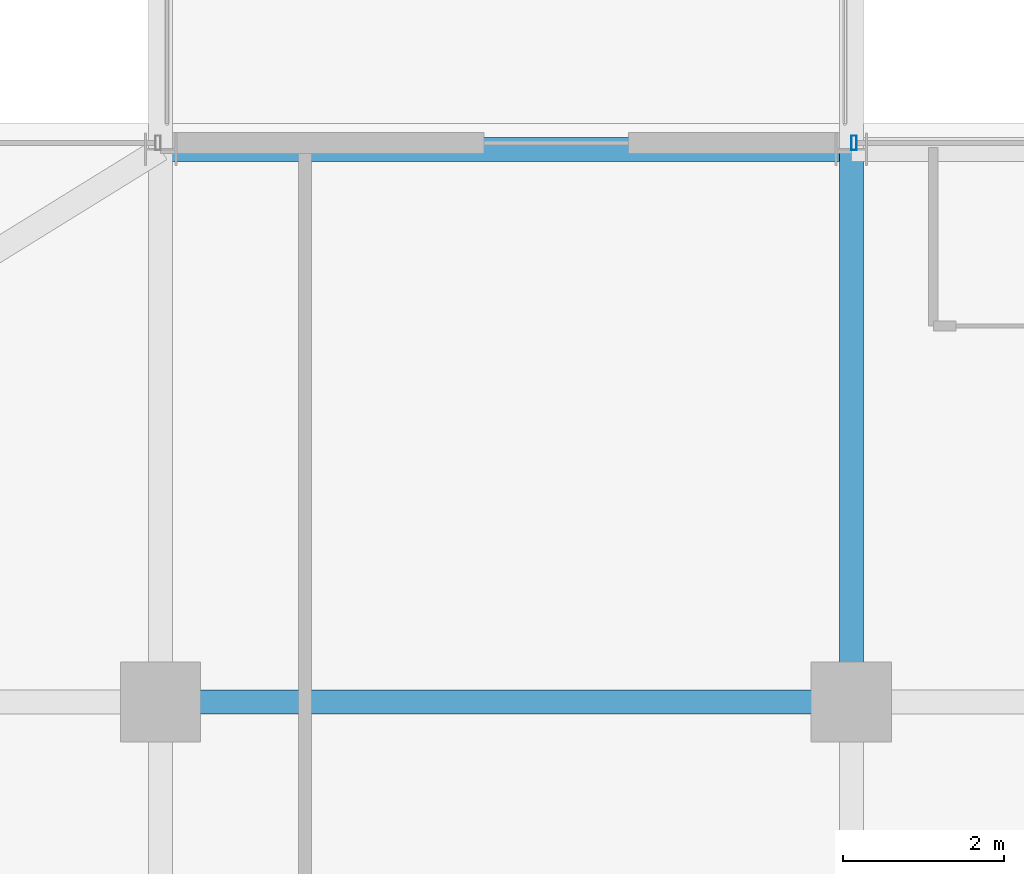
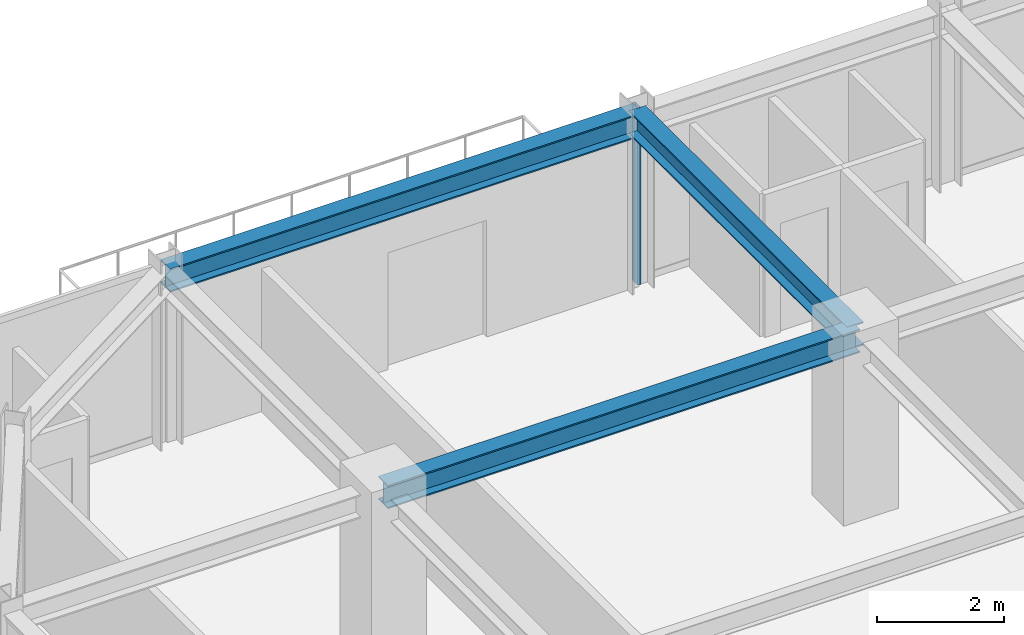
# One storey, part 21 of 36: 3 beams, 1 member, 1 element without a shape of its own.
"""IFC4 building model written with IfcOpenShell, lengths in metres."""

import ifcopenshell
import ifcopenshell.guid

model = None  # the IFC model being written
_history = None  # IfcOwnerHistory: only IFC2X3 demands one
_inside = {}  # id of a spatial element -> (the spatial element, [elements in it])
_under = {}  # id of a project, library or spatial element -> (it, [spatial elements below it])
_declared = {}  # id of a project -> (the project, [libraries it declares])
_typed = {}  # id of a type object -> (the type object, [elements of that type])
_made_of = {}  # id of a material, layer set ... -> (it, [elements and type objects made of it])


def new_model(schema):
    """Start an empty IFC model of exactly this schema.

    Asked for "IFC4X3", IfcOpenShell would pick the latest addendum, in which some entities
    have other attributes; the version numbers below select the first issue.
    IFC2X3 requires an IfcOwnerHistory on every rooted entity: one is made here for all.
    """
    global model, _history
    if schema == "IFC4X3":
        model = ifcopenshell.file(schema_version=(4, 3, 0, 0))
    else:
        model = ifcopenshell.file(schema=schema)
    _inside.clear()
    _under.clear()
    _declared.clear()
    _typed.clear()
    _made_of.clear()
    _history = None
    if model.schema == "IFC2X3":
        org = make("IfcOrganization", Name="unknown")
        user = make(
            "IfcPersonAndOrganization",
            ThePerson=make("IfcPerson", FamilyName="unknown"),
            TheOrganization=org,
        )
        app = make(
            "IfcApplication",
            ApplicationDeveloper=org,
            Version="unknown",
            ApplicationFullName="unknown",
            ApplicationIdentifier="unknown",
        )
        _history = make(
            "IfcOwnerHistory",
            OwningUser=user,
            OwningApplication=app,
            ChangeAction="ADDED",
            CreationDate=0,
        )
    return model


def make(cls, **values):
    """One entity of the class cls with the attributes given. An attribute that is None is left unset."""
    return model.create_entity(
        cls, **{name: value for name, value in values.items() if value is not None}
    )


def rooted(cls, **values):
    """An entity with a GlobalId (a new one), such as an element, a storey or a relation."""
    return make(cls, GlobalId=ifcopenshell.guid.new(), OwnerHistory=_history, **values)


def si_unit(unit_type, name, prefix=None):
    """IfcSIUnit, for example si_unit("LENGTHUNIT", "METRE", prefix="MILLI")."""
    return make("IfcSIUnit", UnitType=unit_type, Prefix=prefix, Name=name)


def assignment(units):
    """IfcUnitAssignment: the units of a project."""
    return None if units is None else make("IfcUnitAssignment", Units=units)


def point(xyz):
    """IfcCartesianPoint."""
    return None if xyz is None else make("IfcCartesianPoint", Coordinates=xyz)


def direction(xyz):
    """IfcDirection."""
    return None if xyz is None else make("IfcDirection", DirectionRatios=xyz)


def frame(location, z_axis=None, x_axis=None):
    """IfcAxis2Placement3D, a coordinate frame: its origin and axes. An axis left out is left unset."""
    return make(
        "IfcAxis2Placement3D",
        Location=point(location),
        Axis=direction(z_axis),
        RefDirection=direction(x_axis),
    )


def frame_2d(location, x_axis=None):
    """IfcAxis2Placement2D, a coordinate frame in the plane: its origin and x axis."""
    return make(
        "IfcAxis2Placement2D", Location=point(location), RefDirection=direction(x_axis)
    )


def origin():
    """The frame at (0, 0, 0) with its axes left unset."""
    return frame((0.0, 0.0, 0.0))


def origin_2d():
    """The frame at (0, 0) in the plane with its x axis left unset."""
    return frame_2d((0.0, 0.0))


def place(relative_to, where):
    """IfcLocalPlacement: puts the frame where relative to a parent placement (None: the world)."""
    return make(
        "IfcLocalPlacement", PlacementRelTo=relative_to, RelativePlacement=where
    )


def context(
    kind, dimensions, precision=None, world=None, true_north=None, identifier=None
):
    """IfcGeometricRepresentationContext, for example the 3D "Model" context."""
    return make(
        "IfcGeometricRepresentationContext",
        ContextIdentifier=identifier,
        ContextType=kind,
        CoordinateSpaceDimension=dimensions,
        Precision=precision,
        WorldCoordinateSystem=world,
        TrueNorth=true_north,
    )


def subcontext(parent, identifier, kind, view, scale=None):
    """IfcGeometricRepresentationSubContext, for example "Body" below "Model"."""
    return make(
        "IfcGeometricRepresentationSubContext",
        ContextIdentifier=identifier,
        ContextType=kind,
        ParentContext=parent,
        TargetScale=scale,
        TargetView=view,
    )


def project(units=None, contexts=None):
    """IfcProject with its units and contexts."""
    return rooted(
        "IfcProject",
        Name="project",
        RepresentationContexts=contexts,
        UnitsInContext=assignment(units),
    )


def spatial(cls, under=None, at=None, **own):
    """A site, building, storey or space (cls), placed at a placement, below another one or the project."""
    s = rooted(cls, ObjectPlacement=at, **own)
    if under is not None:
        _under.setdefault(under.id(), (under, []))[1].append(s)
    return s


def profile(cls, at=None, kind="AREA", **sizes):
    """A parametric profile (cls). Its sizes go by their IFC names, for example OverallWidth=200.0."""
    return make(cls, ProfileType=kind, Position=at, **sizes)


def hollow_rectangle(**sizes):
    """IfcRectangleHollowProfileDef."""
    return profile("IfcRectangleHollowProfileDef", **sizes)


def i_section(**sizes):
    """IfcIShapeProfileDef."""
    return profile("IfcIShapeProfileDef", **sizes)


def extrude(swept, where, along, depth):
    """IfcExtrudedAreaSolid: the profile swept, set in the frame where, extruded along a direction by depth."""
    return make(
        "IfcExtrudedAreaSolid",
        SweptArea=swept,
        Position=where,
        ExtrudedDirection=direction(along),
        Depth=depth,
    )


def shape(context_of_items, identifier, shape_type, items):
    """IfcShapeRepresentation: the items that make up one representation, for example the "Body"."""
    return make(
        "IfcShapeRepresentation",
        ContextOfItems=context_of_items,
        RepresentationIdentifier=identifier,
        RepresentationType=shape_type,
        Items=items,
    )


def source(mapping_origin, context_of_items, identifier, shape_type, items):
    """IfcRepresentationMap: a shape defined once, which mapped items show again and again."""
    return make(
        "IfcRepresentationMap",
        MappingOrigin=mapping_origin,
        MappedRepresentation=shape(context_of_items, identifier, shape_type, items),
    )


def transform(
    local_origin,
    x_axis=None,
    y_axis=None,
    z_axis=None,
    scale=None,
    scale2=None,
    scale3=None,
    uniform=True,
):
    """IfcCartesianTransformationOperator3D, or its non-uniform kind. x_axis, y_axis, z_axis: its Axis1, 2, 3."""
    if uniform:
        return make(
            "IfcCartesianTransformationOperator3D",
            Axis1=direction(x_axis),
            Axis2=direction(y_axis),
            LocalOrigin=point(local_origin),
            Scale=scale,
            Axis3=direction(z_axis),
        )
    return make(
        "IfcCartesianTransformationOperator3DnonUniform",
        Axis1=direction(x_axis),
        Axis2=direction(y_axis),
        LocalOrigin=point(local_origin),
        Scale=scale,
        Axis3=direction(z_axis),
        Scale2=scale2,
        Scale3=scale3,
    )


def mapped(mapping_source, mapping_target):
    """IfcMappedItem: shows the shape of a source again, moved by a transform."""
    return make(
        "IfcMappedItem", MappingSource=mapping_source, MappingTarget=mapping_target
    )


def material(Name=None, Category=None):
    """IfcMaterial."""
    return make("IfcMaterial", Name=Name, Category=Category)


def material_profile(
    of_material, cross_section, Name=None, Category=None, Priority=None
):
    """IfcMaterialProfile: a cross section and its material."""
    return make(
        "IfcMaterialProfile",
        Name=Name,
        Material=of_material,
        Profile=cross_section,
        Priority=Priority,
        Category=Category,
    )


def profile_set(profiles, Name=None, composite=None):
    """IfcMaterialProfileSet."""
    return make(
        "IfcMaterialProfileSet",
        Name=Name,
        MaterialProfiles=profiles,
        CompositeProfile=composite,
    )


def made_of(thing, what):
    """Note that an element or type object is made of a material, layer set ...; save() writes the relation."""
    if what is not None:
        _made_of.setdefault(what.id(), (what, []))[1].append(thing)
    return thing


def type_object(cls, material=None, **own):
    """A type object (cls), such as IfcWallType, which elements share."""
    return made_of(rooted(cls, **own), material)


def element(
    cls,
    number,
    at=None,
    inside=None,
    cuts=None,
    type_object=None,
    material=None,
    context=None,
    identifier="Body",
    shape_type=None,
    held_by="IfcProductDefinitionShape",
    body=None,
    shapes=None,
    **own,
):
    """One element of the class cls, such as IfcWall. Its Tag is "e" and its number.

    at: its placement. inside: the storey or other place that contains it. cuts: it is an
    opening in that element (IfcRelVoidsElement). A single representation is given by context,
    identifier, shape_type and body (its items); several are given by shapes. held_by: the class
    of the entity that holds the representations. save() writes the other relations.
    """
    e = rooted(cls, Tag="e%d" % number, ObjectPlacement=at, **own)
    if body is not None:
        shapes = [shape(context, identifier, shape_type, body)]
    if shapes is not None:
        e.Representation = make(held_by, Representations=shapes)
    if inside is not None:
        _inside.setdefault(inside.id(), (inside, []))[1].append(e)
    if cuts is not None:
        rooted(
            "IfcRelVoidsElement", RelatingBuildingElement=cuts, RelatedOpeningElement=e
        )
    if type_object is not None:
        _typed.setdefault(type_object.id(), (type_object, []))[1].append(e)
    return made_of(e, material)


def aggregate(whole, parts):
    """IfcRelAggregates: a whole, such as a stair, and the parts it consists of."""
    return rooted("IfcRelAggregates", RelatingObject=whole, RelatedObjects=parts)


def save(model, path):
    """Write the relations noted so far, then the file.

    IfcRelAggregates (storeys below a building ...), IfcRelContainedInSpatialStructure (elements
    in a storey), IfcRelDefinesByType, IfcRelAssociatesMaterial and IfcRelDeclares: one each for
    every whole, place, type object, material and project.
    """
    for whole, parts in _under.values():
        aggregate(whole, parts)
    for where, things in _inside.values():
        rooted(
            "IfcRelContainedInSpatialStructure",
            RelatedElements=things,
            RelatingStructure=where,
        )
    for kind, things in _typed.values():
        rooted("IfcRelDefinesByType", RelatedObjects=things, RelatingType=kind)
    for what, things in _made_of.values():
        rooted("IfcRelAssociatesMaterial", RelatedObjects=things, RelatingMaterial=what)
    for by, libraries in _declared.values():
        rooted("IfcRelDeclares", RelatingContext=by, RelatedDefinitions=libraries)
    model.write(path)


model = new_model("IFC4")

# Units and contexts
model_context = context("Model", 3, precision=1e-05, world=origin(), true_north=direction((0.0, 1.0)))
body_context = subcontext(model_context, "Body", "Model", "MODEL_VIEW")
ifc_project = project(units=[si_unit("LENGTHUNIT", "METRE"), si_unit("AREAUNIT", "SQUARE_METRE"), si_unit("VOLUMEUNIT", "CUBIC_METRE"), si_unit("PLANEANGLEUNIT", "RADIAN"), si_unit("MASSUNIT", "GRAM", prefix="KILO")], contexts=[model_context])

# Site, building, storey
site_placement = place(None, origin())
site = spatial("IfcSite", under=ifc_project, at=site_placement, CompositionType="ELEMENT")
building_placement = place(site_placement, origin())
building = spatial("IfcBuilding", under=site, at=building_placement, Name="Nahalor Promenade Grand Hotel", CompositionType="ELEMENT")
storey_placement = place(building_placement, frame((0.0, 0.0, 234.5)))
storey = spatial("IfcBuildingStorey", under=building, at=storey_placement, Name="L60", CompositionType="ELEMENT", Elevation=234.5)

# Beams
ifc_material_1 = material(Name="Steel S355JR", Category="steel")
ifc_material_profile_1 = material_profile(ifc_material_1, i_section(OverallWidth=0.3, OverallDepth=0.45, WebThickness=0.014, FlangeThickness=0.026, at=origin_2d()), Name="HEB 450")
ifc_profile_set_1 = profile_set([ifc_material_profile_1], Name="Steel S355JR")
beam_type_1 = type_object("IfcBeamType", Name="Beam-Spandrel-HEB450", PredefinedType="SPANDREL", material=ifc_profile_set_1)
shared_shape_1 = source(origin(), body_context, "Body", "SweptSolid", [
    extrude(i_section(OverallWidth=0.3, OverallDepth=0.45, WebThickness=0.014, FlangeThickness=0.026, at=origin_2d()), origin(), (0.0, 0.0, 1.0), 8.60009765625),
])
beam_1_placement = place(storey_placement, frame((-17.0, 23.8798828125, 3.18505859375), z_axis=(1.0, 0.0, 0.0), x_axis=(0.0, 1.0, 0.0)))
element("IfcBeam", 1, at=beam_1_placement, inside=storey, type_object=beam_type_1, Name="BM-L60-SP-N-0", PredefinedType="SPANDREL", context=body_context, shape_type="MappedRepresentation", body=[
    mapped(shared_shape_1, transform((0.0, 0.0, 0.0), scale=1.0)),
])
ifc_material_profile_2 = material_profile(ifc_material_1, i_section(OverallWidth=0.3, OverallDepth=0.45, WebThickness=0.014, FlangeThickness=0.026, at=origin_2d()), Name="HEB 450")
ifc_profile_set_2 = profile_set([ifc_material_profile_2], Name="Steel S355JR")
beam_type_2 = type_object("IfcBeamType", Name="Beam-Girder-HEB450", PredefinedType="BEAM", material=ifc_profile_set_2)
shared_shape_2 = source(origin(), body_context, "Body", "SweptSolid", [
    extrude(i_section(OverallWidth=0.3, OverallDepth=0.45, WebThickness=0.014, FlangeThickness=0.026, at=origin_2d()), origin(), (0.0, 0.0, 1.0), 6.8798828125),
])
beam_2_placement = place(storey_placement, frame((-8.39990234375, 17.0, 3.18505859375), z_axis=(0.0, 1.0, 0.0), x_axis=(-1.0, 0.0, 0.0)))
element("IfcBeam", 2, at=beam_2_placement, inside=storey, type_object=beam_type_2, Name="BM-L60-GY-1-4", PredefinedType="BEAM", context=body_context, shape_type="MappedRepresentation", body=[
    mapped(shared_shape_2, transform((0.0, 0.0, 0.0), scale=1.0)),
])
shared_shape_3 = source(origin(), body_context, "Body", "SweptSolid", [
    extrude(i_section(OverallWidth=0.3, OverallDepth=0.45, WebThickness=0.014, FlangeThickness=0.026, at=origin_2d()), origin(), (0.0, 0.0, 1.0), 8.60009765625),
])
beam_3_placement = place(storey_placement, frame((-17.0, 17.0, 3.18505859375), z_axis=(1.0, 0.0, 0.0), x_axis=(0.0, 1.0, 0.0)))
element("IfcBeam", 3, at=beam_3_placement, inside=storey, type_object=beam_type_2, Name="BM-L60-GX-3-1", PredefinedType="BEAM", context=body_context, shape_type="MappedRepresentation", body=[
    mapped(shared_shape_3, transform((0.0, 0.0, 0.0), scale=1.0)),
])

# Curtain wall, member
ifc_material_2 = material(Name="Anodised Bronze Aluminium EN AW-6063 T6", Category="aluminium")
curtain_wall_type = type_object("IfcCurtainWallType", Name="CW2 Typical Hotel Flush Bronze Unitised Curtain Wall", PredefinedType="USERDEFINED", material=ifc_material_2)
curtain_wall_placement = place(storey_placement, origin())
curtain_wall = element("IfcCurtainWall", 4, at=curtain_wall_placement, inside=storey, type_object=curtain_wall_type, Name="L60 Curtain Wall CW-L60-N-3", ObjectType="UNITISED_CURTAIN_WALL", PredefinedType="USERDEFINED")
ifc_material_profile_3 = material_profile(ifc_material_2, hollow_rectangle(XDim=0.065, YDim=0.18, WallThickness=0.004, at=origin_2d()), Name="CWM 65x180x4")
ifc_profile_set_3 = profile_set([ifc_material_profile_3], Name="Anodised Bronze Aluminium EN AW-6063 T6")
member_type = type_object("IfcMemberType", Name="CWM2 Typical Bronze Mullion 65x180", PredefinedType="MULLION", material=ifc_profile_set_3)
shared_shape_4 = source(origin(), body_context, "Body", "SweptSolid", [
    extrude(hollow_rectangle(XDim=0.065, YDim=0.18, WallThickness=0.004, at=origin_2d()), origin(), (0.0, 0.0, 1.0), 3.409912109375),
])
member_placement = place(storey_placement, frame((-8.367431640625, 23.9599609375, 0.0), z_axis=(0.0, 0.0, 1.0), x_axis=(1.0, 0.0, 0.0)))
member = element("IfcMember", 5, at=member_placement, type_object=member_type, Name="CW-L60-N-3 Mullion 0", PredefinedType="MULLION", context=body_context, shape_type="MappedRepresentation", body=[
    mapped(shared_shape_4, transform((0.0, 0.0, 0.0), scale=1.0)),
])
aggregate(curtain_wall, [member])

save(model, "model.ifc")
